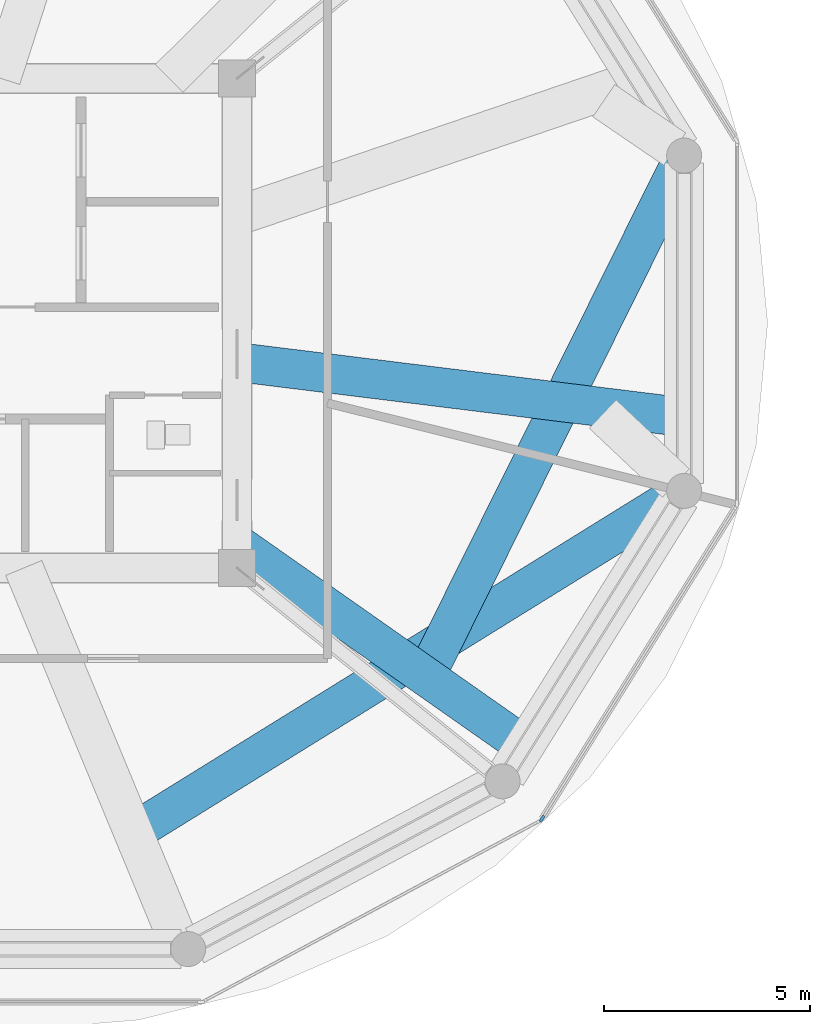
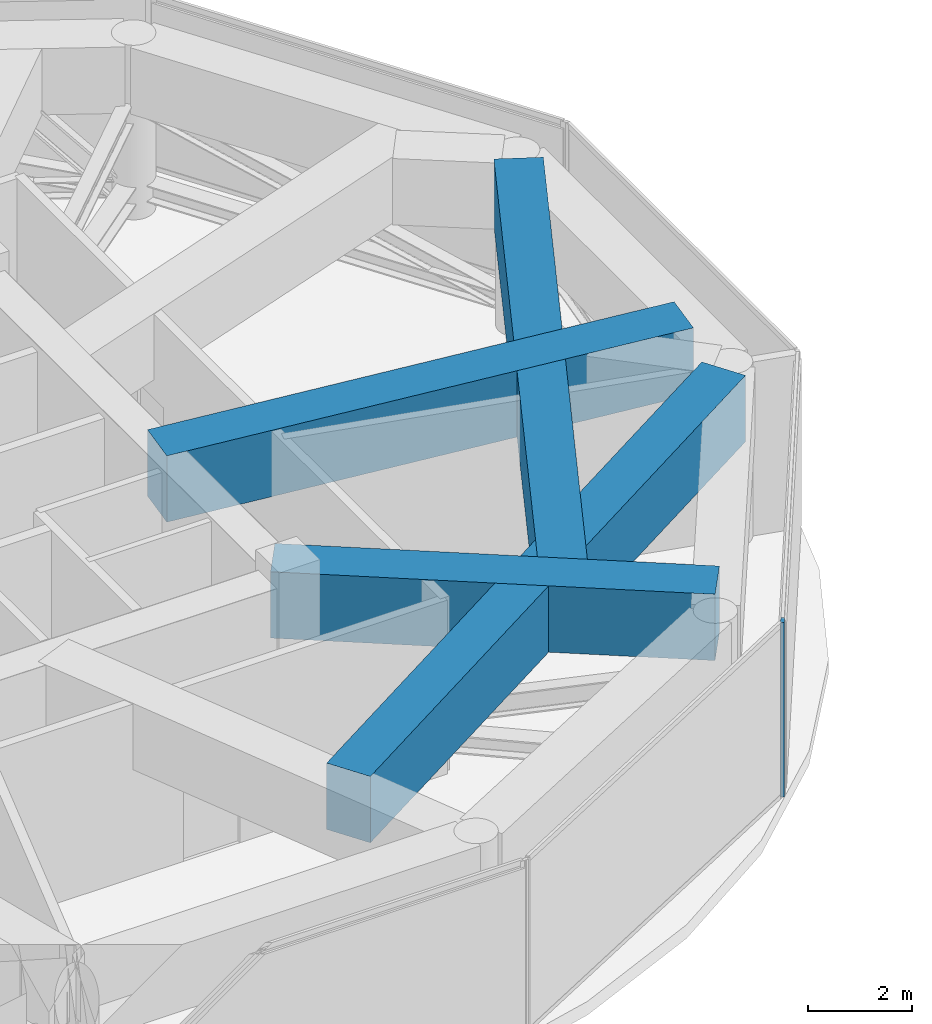
# One storey, part 3 of 23: 4 beams, 1 member, 1 element without a shape of its own.
"""IFC4 building model written with IfcOpenShell, lengths in metres."""

from ifc_helpers import new_model, si_unit, direction, frame, origin, origin_2d, place, context, subcontext, project, spatial, rectangle, extrude, source, transform, mapped, material, layer, layer_set, material_profile, profile_set, type_object, type_shapes, element, aggregate, save


model = new_model("IFC4")

# Units and contexts
model_context = context("Model", 3, precision=1e-05, world=origin(), true_north=direction((0.0, 1.0)))
body_context = subcontext(model_context, "Body", "Model", "MODEL_VIEW")
ifc_project = project(units=[si_unit("LENGTHUNIT", "METRE"), si_unit("AREAUNIT", "SQUARE_METRE"), si_unit("VOLUMEUNIT", "CUBIC_METRE"), si_unit("PLANEANGLEUNIT", "RADIAN"), si_unit("MASSUNIT", "GRAM", prefix="KILO")], contexts=[model_context])

# Site, building, storey
site_placement = place(None, origin())
site = spatial("IfcSite", under=ifc_project, at=site_placement, CompositionType="ELEMENT")
building_placement = place(site_placement, origin())
building = spatial("IfcBuilding", under=site, at=building_placement, Name="Norrkilde Senior Care Towers", CompositionType="ELEMENT")
storey_placement = place(building_placement, frame((0.0, 0.0, 129.800048828125)))
storey = spatial("IfcBuildingStorey", under=building, at=storey_placement, Name="L40", CompositionType="ELEMENT", Elevation=129.800048828125)

# Beams
ifc_material_1 = material(Name="Concrete C60/75", Category="concrete")
ifc_material_profile_1 = material_profile(ifc_material_1, rectangle(XDim=0.949951171875, YDim=1.550048828125, at=origin_2d()), Name="RC TG 950x1550")
ifc_profile_set_1 = profile_set([ifc_material_profile_1], Name="Concrete C60/75")
beam_type = type_object("IfcBeamType", Name="Transfer Girder Zone Shift 950x1550", PredefinedType="USERDEFINED", material=ifc_profile_set_1)
shared_shape_1 = source(origin(), body_context, "Body", "SweptSolid", [
    extrude(rectangle(XDim=0.949951171875, YDim=1.550048828125, at=origin_2d()), origin(), (0.0, 0.0, 1.0), 15.19482421875),
])
beam_1_placement = place(storey_placement, frame((-22.634765625, -12.22802734375, 3.304931640625), z_axis=(0.850009602459, 0.526767193101, 0.0), x_axis=(-0.526767193101, 0.850009602459, 0.0)))
element("IfcBeam", 1, at=beam_1_placement, inside=storey, type_object=beam_type, Name="L40 Drum W Zone Star Transfer Tie 10", ObjectType="GIRDER", PredefinedType="USERDEFINED", context=body_context, shape_type="MappedRepresentation", body=[
    mapped(shared_shape_1, transform((0.0, 0.0, 0.0), x_axis=(1.0, 0.0, 0.0), y_axis=(0.0, 1.0, 0.0), z_axis=(0.0, 0.0, 1.0), scale=1.0)),
])
shared_shape_2 = source(origin(), body_context, "Body", "SweptSolid", [
    extrude(rectangle(XDim=0.949951171875, YDim=1.550048828125, at=origin_2d()), origin(), (0.0, 0.0, 1.0), 8.544677734375),
])
beam_2_placement = place(storey_placement, frame((-20.35009765625, -5.3681640625, 3.304931640625), z_axis=(0.818577669151, -0.574395856154, 0.0), x_axis=(0.574395856154, 0.818577669151, 0.0)))
element("IfcBeam", 2, at=beam_2_placement, inside=storey, type_object=beam_type, Name="L40 Drum W Zone Transfer Girder 11", ObjectType="GIRDER", PredefinedType="USERDEFINED", context=body_context, shape_type="MappedRepresentation", body=[
    mapped(shared_shape_2, transform((0.0, 0.0, 0.0), x_axis=(1.0, 0.0, 0.0), y_axis=(0.0, 1.0, 0.0), z_axis=(0.0, 0.0, 1.0), scale=1.0)),
])
shared_shape_3 = source(origin(), body_context, "Body", "SweptSolid", [
    extrude(rectangle(XDim=0.949951171875, YDim=1.550048828125, at=origin_2d()), origin(), (0.0, 0.0, 1.0), 13.5751953125),
])
beam_3_placement = place(storey_placement, frame((-15.642822265625, -8.3330078125, 3.304931640625), z_axis=(0.444737224815, 0.895661097103, 0.0), x_axis=(-0.895661097103, 0.444737224815, 0.0)))
element("IfcBeam", 3, at=beam_3_placement, inside=storey, type_object=beam_type, Name="L40 Drum W Zone Star Transfer Tie 11", ObjectType="GIRDER", PredefinedType="USERDEFINED", context=body_context, shape_type="MappedRepresentation", body=[
    mapped(shared_shape_3, transform((0.0, 0.0, 0.0), x_axis=(1.0, 0.0, 0.0), y_axis=(0.0, 1.0, 0.0), z_axis=(0.0, 0.0, 1.0), scale=1.0)),
])
shared_shape_4 = source(origin(), body_context, "Body", "SweptSolid", [
    extrude(rectangle(XDim=0.949951171875, YDim=1.550048828125, at=origin_2d()), origin(), (0.0, 0.0, 1.0), 10.95166015625),
])
type_shapes(beam_type, [shared_shape_1, shared_shape_2, shared_shape_3, shared_shape_4])
beam_4_placement = place(storey_placement, frame((-20.35009765625, -0.9443359375, 3.304931640625), z_axis=(0.992468746892, -0.12249810791, 0.0), x_axis=(0.12249810791, 0.992468746892, 0.0)))
element("IfcBeam", 4, at=beam_4_placement, inside=storey, type_object=beam_type, Name="L40 Drum W Zone Transfer Girder 12", ObjectType="GIRDER", PredefinedType="USERDEFINED", context=body_context, shape_type="MappedRepresentation", body=[
    mapped(shared_shape_4, transform((0.0, 0.0, 0.0), x_axis=(1.0, 0.0, 0.0), y_axis=(0.0, 1.0, 0.0), z_axis=(0.0, 0.0, 1.0), scale=1.0)),
])

# Curtain wall, member
ifc_material_2 = material(Name="Triple Low-E Insulated Glazing", Category="glass")
ifc_layer = layer(ifc_material_2, 0.18505859375)
ifc_layer_set = layer_set([ifc_layer], Name="Triple Low-E Insulated Glazing")
curtain_wall_type = type_object("IfcCurtainWallType", Name="CW6 Zone 4 Crown Pavilion Curtain Wall", PredefinedType="NOTDEFINED", material=ifc_layer_set)
curtain_wall_placement = place(storey_placement, origin())
curtain_wall = element("IfcCurtainWall", 5, at=curtain_wall_placement, inside=storey, type_object=curtain_wall_type, Name="L40 Drum W Curtain Wall 10", PredefinedType="NOTDEFINED")
ifc_material_3 = material(Name="Anodised Aluminium", Category="aluminium")
ifc_material_profile_2 = material_profile(ifc_material_3, rectangle(XDim=0.070068359375, YDim=0.169921875, at=origin_2d()), Name="ALU MULL 70x170")
ifc_profile_set_2 = profile_set([ifc_material_profile_2], Name="Anodised Aluminium")
member_type = type_object("IfcMemberType", Name="Curtain Wall Mullion Heavy 70x170", PredefinedType="MULLION", material=ifc_profile_set_2)
shared_shape_5 = source(origin(), body_context, "Body", "SweptSolid", [
    extrude(rectangle(XDim=0.070068359375, YDim=0.169921875, at=origin_2d()), origin(), (0.0, 0.0, 1.0), 4.079833984375),
])
type_shapes(member_type, [shared_shape_5])
member_placement = place(storey_placement, frame((-12.934814453125, -12.047607421875, 0.0), z_axis=(0.0, 0.0, 1.0), x_axis=(0.849410171862, -0.527733228002, 0.0)))
member = element("IfcMember", 6, at=member_placement, type_object=member_type, Name="CW-6 mullion 2", PredefinedType="MULLION", context=body_context, shape_type="MappedRepresentation", body=[
    mapped(shared_shape_5, transform((0.0, 0.0, 0.0), x_axis=(1.0, 0.0, 0.0), y_axis=(0.0, 1.0, 0.0), z_axis=(0.0, 0.0, 1.0), scale=1.0)),
])
aggregate(curtain_wall, [member])

save(model, "model.ifc")
